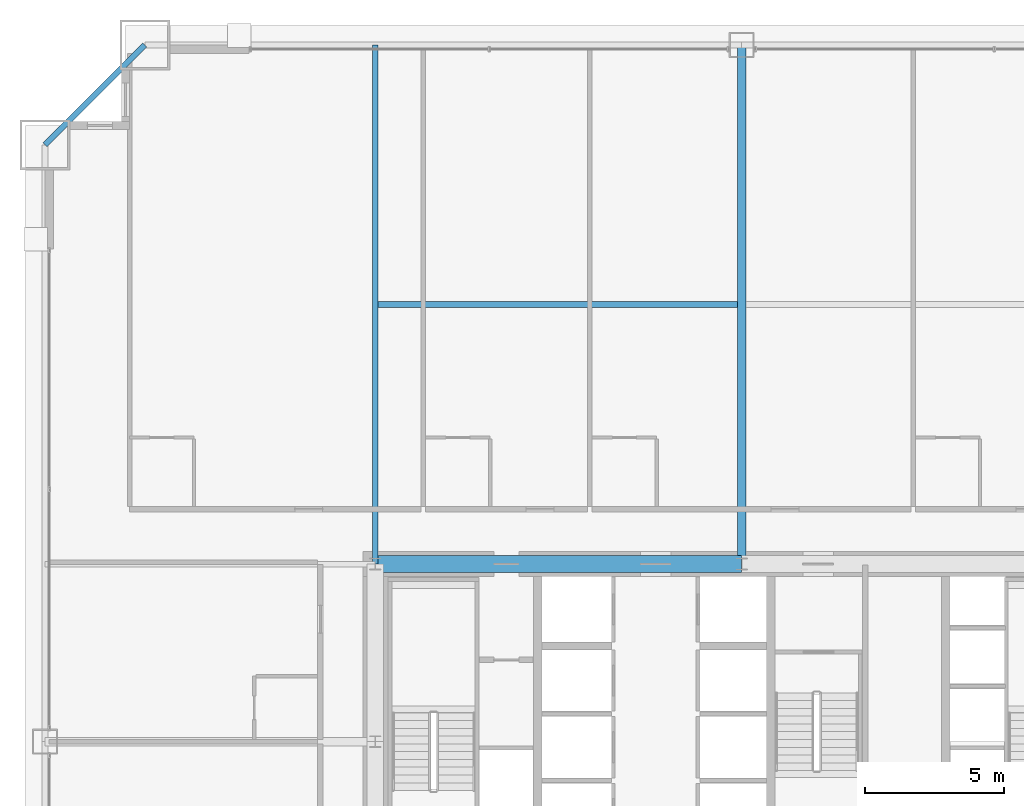
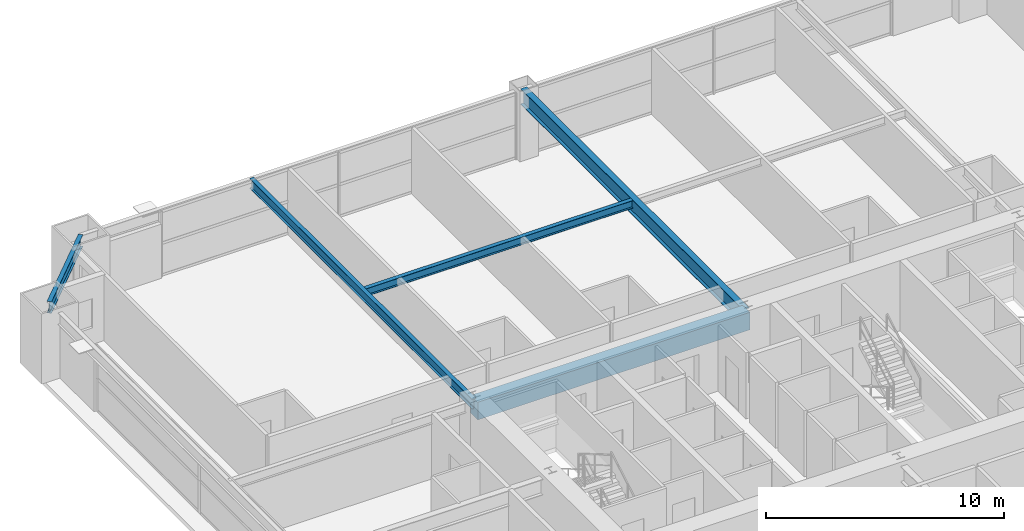
# One storey, part 25 of 43: 5 beams.
"""IFC4 building model written with IfcOpenShell, lengths in metres."""

from ifc_helpers import new_model, si_unit, direction, frame, origin, origin_2d, place, context, subcontext, project, spatial, rectangle, i_section, extrude, source, transform, mapped, material, material_profile, profile_set, type_object, element, save


model = new_model("IFC4")

# Units and contexts
model_context = context("Model", 3, precision=1e-05, world=origin(), true_north=direction((0.0, 1.0)))
body_context = subcontext(model_context, "Body", "Model", "MODEL_VIEW")
ifc_project = project(units=[si_unit("LENGTHUNIT", "METRE"), si_unit("AREAUNIT", "SQUARE_METRE"), si_unit("VOLUMEUNIT", "CUBIC_METRE"), si_unit("PLANEANGLEUNIT", "RADIAN"), si_unit("MASSUNIT", "GRAM", prefix="KILO"), si_unit("THERMODYNAMICTEMPERATUREUNIT", "KELVIN"), si_unit("POWERUNIT", "WATT")], contexts=[model_context])

# Site, building, storey
site_placement = place(None, origin())
site = spatial("IfcSite", under=ifc_project, at=site_placement, CompositionType="ELEMENT")
building_placement = place(site_placement, origin())
building = spatial("IfcBuilding", under=site, at=building_placement, Name="Yuzanri Waterfront Tower", CompositionType="ELEMENT")
storey_placement = place(building_placement, frame((0.0, 0.0, 78.39990234375)))
storey = spatial("IfcBuildingStorey", under=building, at=storey_placement, Name="L20", CompositionType="ELEMENT", Elevation=78.39990234375)

# Beams
ifc_material_1 = material(Name="Concrete C60", Category="concrete")
ifc_material_profile_1 = material_profile(ifc_material_1, rectangle(XDim=0.60009765625, YDim=0.89990234375, at=origin_2d()), Name="RC 600x900")
ifc_profile_set_1 = profile_set([ifc_material_profile_1], Name="Concrete C60")
beam_type_1 = type_object("IfcBeamType", Name="Core Coupling Lintel Concrete C60 600x900", PredefinedType="LINTEL", material=ifc_profile_set_1)
shared_shape_1 = source(origin(), body_context, "Body", "SweptSolid", [
    extrude(rectangle(XDim=0.60009765625, YDim=0.89990234375, at=origin_2d()), origin(), (0.0, 0.0, 1.0), 13.199951171875),
])
beam_1_placement = place(storey_placement, frame((23.800048828125, 32.199951171875, 2.93017578125), z_axis=(1.0, 0.0, 0.0), x_axis=(0.0, 1.0, 0.0)))
element("IfcBeam", 1, at=beam_1_placement, inside=storey, type_object=beam_type_1, Name="L20 Core Tie Beam CN1", PredefinedType="LINTEL", context=body_context, shape_type="MappedRepresentation", body=[
    mapped(shared_shape_1, transform((0.0, 0.0, 0.0), scale=1.0)),
])
ifc_material_2 = material(Name="Steel Q355B", Category="steel")
ifc_material_profile_2 = material_profile(ifc_material_2, i_section(OverallWidth=0.199951171875, OverallDepth=0.60009765625, WebThickness=0.010986328125, FlangeThickness=0.01708984375, at=origin_2d()), Name="HN 600x200x11x17")
ifc_profile_set_2 = profile_set([ifc_material_profile_2], Name="Steel Q355B")
beam_type_2 = type_object("IfcBeamType", Name="Perimeter Spandrel Q355B HN 600x200", PredefinedType="SPANDREL", material=ifc_profile_set_2)
shared_shape_2 = source(origin(), body_context, "Body", "SweptSolid", [
    extrude(i_section(OverallWidth=0.199951171875, OverallDepth=0.60009765625, WebThickness=0.010986328125, FlangeThickness=0.01708984375, at=origin_2d()), origin(), (0.0, 0.0, 1.0), 5.091064453125),
])
beam_2_placement = place(storey_placement, frame((15.5, 50.89990234375, 3.080078125), z_axis=(-0.707130757816, -0.707082803744, 0.0), x_axis=(0.707082803744, -0.707130757816, 0.0)))
element("IfcBeam", 2, at=beam_2_placement, inside=storey, type_object=beam_type_2, Name="L20 Perimeter Spandrel N1-W3", PredefinedType="SPANDREL", context=body_context, shape_type="MappedRepresentation", body=[
    mapped(shared_shape_2, transform((0.0, 0.0, 0.0), scale=1.0)),
])
ifc_material_3 = material(Name="Steel Q355B", Category="steel")
ifc_material_profile_3 = material_profile(ifc_material_3, i_section(OverallWidth=0.300048828125, OverallDepth=0.800048828125, WebThickness=0.013916015625, FlangeThickness=0.02587890625, at=origin_2d()), Name="HN 800x300x14x26")
ifc_profile_set_3 = profile_set([ifc_material_profile_3], Name="Steel Q355B")
beam_type_3 = type_object("IfcBeamType", Name="Primary Floor Girder Q355B HN 800x300", PredefinedType="BEAM", material=ifc_profile_set_3)
shared_shape_3 = source(origin(), body_context, "Body", "SweptSolid", [
    extrude(i_section(OverallWidth=0.300048828125, OverallDepth=0.800048828125, WebThickness=0.013916015625, FlangeThickness=0.02587890625, at=origin_2d()), origin(), (0.0, 0.0, 1.0), 18.699951171875),
])
beam_3_placement = place(storey_placement, frame((37.0, 32.199951171875, 2.97998046875), z_axis=(0.0, 1.0, 0.0), x_axis=(-1.0, 0.0, 0.0)))
element("IfcBeam", 3, at=beam_3_placement, inside=storey, type_object=beam_type_3, Name="L20 North Grid Girder", PredefinedType="BEAM", context=body_context, shape_type="MappedRepresentation", body=[
    mapped(shared_shape_3, transform((0.0, 0.0, 0.0), scale=1.0)),
])
ifc_material_4 = material(Name="Steel Q355B", Category="steel")
ifc_material_profile_4 = material_profile(ifc_material_4, i_section(OverallWidth=0.199951171875, OverallDepth=0.5, WebThickness=0.010009765625, FlangeThickness=0.01611328125, at=origin_2d()), Name="HN 500x200x10x16")
ifc_profile_set_4 = profile_set([ifc_material_profile_4], Name="Steel Q355B")
beam_type_4 = type_object("IfcBeamType", Name="Secondary Floor Beam Q355B HN 500x200", PredefinedType="BEAM", material=ifc_profile_set_4)
shared_shape_4 = source(origin(), body_context, "Body", "SweptSolid", [
    extrude(i_section(OverallWidth=0.199951171875, OverallDepth=0.5, WebThickness=0.010009765625, FlangeThickness=0.01611328125, at=origin_2d()), origin(), (0.0, 0.0, 1.0), 18.699951171875),
])
beam_4_placement = place(storey_placement, frame((23.800048828125, 32.199951171875, 3.130126953125), z_axis=(0.0, 1.0, 0.0), x_axis=(-1.0, 0.0, 0.0)))
element("IfcBeam", 4, at=beam_4_placement, inside=storey, type_object=beam_type_4, Name="L20 North-West Core Line Beam", PredefinedType="BEAM", context=body_context, shape_type="MappedRepresentation", body=[
    mapped(shared_shape_4, transform((0.0, 0.0, 0.0), scale=1.0)),
])
ifc_material_5 = material(Name="Steel Q355B", Category="steel")
ifc_material_profile_5 = material_profile(ifc_material_5, i_section(OverallWidth=0.199951171875, OverallDepth=0.39990234375, WebThickness=0.008056640625, FlangeThickness=0.012939453125, at=origin_2d()), Name="HN 400x200x8x13")
ifc_profile_set_5 = profile_set([ifc_material_profile_5], Name="Steel Q355B")
beam_type_5 = type_object("IfcBeamType", Name="Floor Joist Q355B HN 400x200", PredefinedType="JOIST", material=ifc_profile_set_5)
shared_shape_5 = source(origin(), body_context, "Body", "SweptSolid", [
    extrude(i_section(OverallWidth=0.199951171875, OverallDepth=0.39990234375, WebThickness=0.008056640625, FlangeThickness=0.012939453125, at=origin_2d()), origin(), (0.0, 0.0, 1.0), 12.9501953125),
])
beam_5_placement = place(storey_placement, frame((23.89990234375, 41.550048828125, 3.18017578125), z_axis=(1.0, 0.0, 0.0), x_axis=(0.0, 1.0, 0.0)))
element("IfcBeam", 5, at=beam_5_placement, inside=storey, type_object=beam_type_5, Name="L20 North Bay Joist W", PredefinedType="JOIST", context=body_context, shape_type="MappedRepresentation", body=[
    mapped(shared_shape_5, transform((0.0, 0.0, 0.0), scale=1.0)),
])

save(model, "model.ifc")
